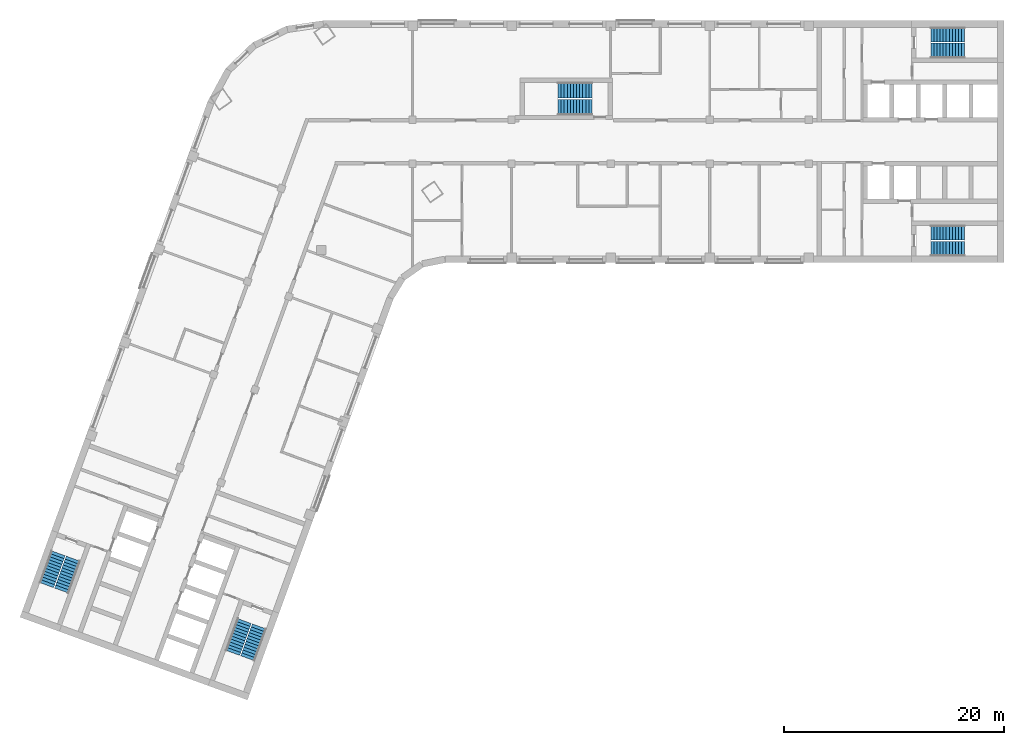
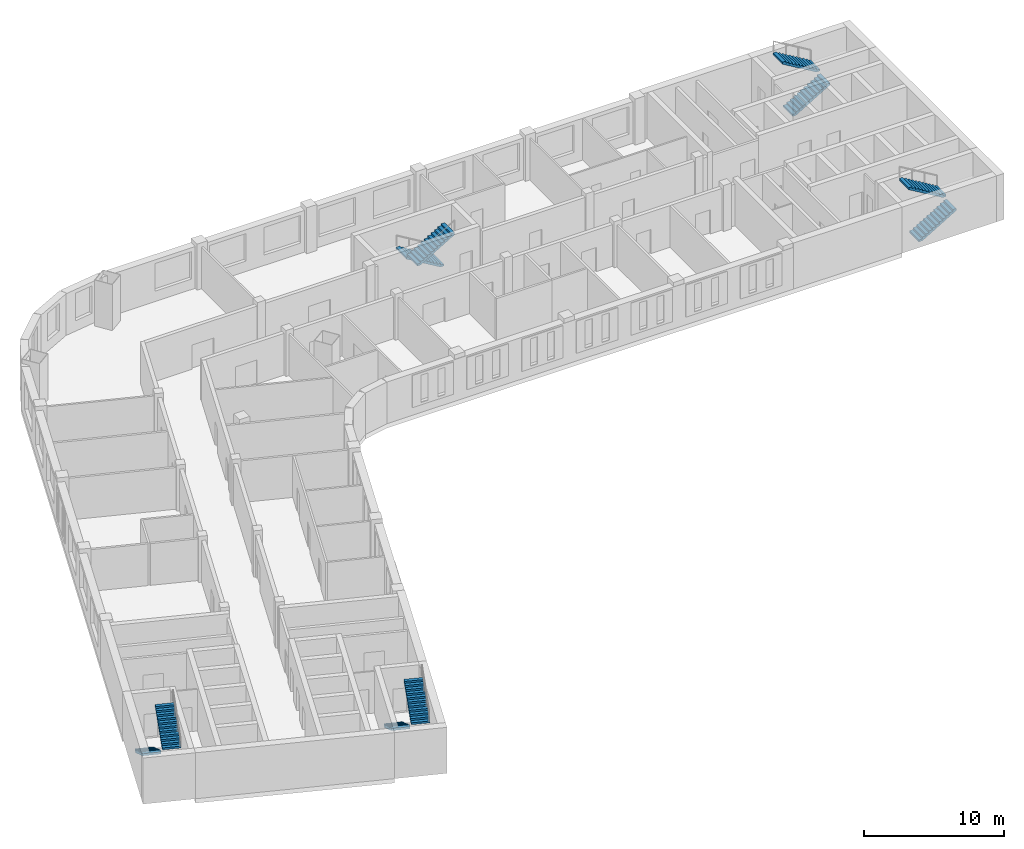
# One storey, part 7 of 8: 10 stair flights, 5 elements without a shape of their own.
"""IFC4 building model written with IfcOpenShell, lengths in metres."""

from ifc_helpers import new_model, si_unit, direction, frame, origin, place, context, subcontext, project, spatial, polyline, outline, extrude, material, type_object, element, aggregate, save


model = new_model("IFC4")

# Units and contexts
model_context = context("Model", 3, precision=1e-05, world=origin(), true_north=direction((0.0, 1.0)))
body_context = subcontext(model_context, "Body", "Model", "MODEL_VIEW")
ifc_project = project(units=[si_unit("LENGTHUNIT", "METRE"), si_unit("AREAUNIT", "SQUARE_METRE"), si_unit("VOLUMEUNIT", "CUBIC_METRE"), si_unit("PLANEANGLEUNIT", "RADIAN"), si_unit("MASSUNIT", "GRAM", prefix="KILO")], contexts=[model_context])

# Site, building, storey
site_placement = place(None, origin())
site = spatial("IfcSite", under=ifc_project, at=site_placement, CompositionType="ELEMENT")
building_placement = place(site_placement, origin())
building = spatial("IfcBuilding", under=site, at=building_placement, Name="Skarvind Civic Tower", CompositionType="ELEMENT")
storey_placement = place(building_placement, frame((0.0, 0.0, 125.0)))
storey = spatial("IfcBuildingStorey", under=building, at=storey_placement, Name="L29", CompositionType="ELEMENT", Elevation=125.0)

# Stair, stair flights
ifc_material = material(Name="Concrete C40/50", Category="concrete")
stair_type_1 = type_object("IfcStairType", Name="Exit stair 1450, half-turn, concrete", PredefinedType="HALF_TURN_STAIR", material=ifc_material)
stair_1_placement = place(storey_placement, origin())
stair_1 = element("IfcStair", 1, at=stair_1_placement, inside=storey, type_object=stair_type_1, Name="Exit stair CM", PredefinedType="HALF_TURN_STAIR")
stair_flight_type_1 = type_object("IfcStairFlightType", Name="Stair flight 1450, concrete", PredefinedType="STRAIGHT", material=ifc_material)
stair_flight_1_placement = place(storey_placement, frame((70.550048828125, 132.675048828125, 0.0), z_axis=(0.0, 0.0, 1.0), x_axis=(-1.0, 0.0, 0.0)))
stair_flight_1 = element("IfcStairFlight", 2, at=stair_flight_1_placement, type_object=stair_flight_type_1, Name="ST-CM flight 1", NumberOfRisers=12, NumberOfTreads=11, PredefinedType="STRAIGHT", RiserHeight=0.166666667, TreadLength=0.28, context=body_context, shape_type="SweptSolid", body=[
    extrude(outline(polyline([(0.0, 0.0), (0.0, 0.166748046875), (0.280029296875, 0.166748046875), (0.280029296875, 0.333251953125), (0.56005859375, 0.333251953125), (0.56005859375, 0.5), (0.840087890625, 0.5), (0.840087890625, 0.666748046875), (1.1201171875, 0.666748046875), (1.1201171875, 0.833251953125), (1.39990234375, 0.833251953125), (1.39990234375, 1.0), (1.679931640625, 1.0), (1.679931640625, 1.166748046875), (1.9599609375, 1.166748046875), (1.9599609375, 1.333251953125), (2.239990234375, 1.333251953125), (2.239990234375, 1.5), (2.52001953125, 1.5), (2.52001953125, 1.666748046875), (2.800048828125, 1.666748046875), (2.800048828125, 1.833251953125), (3.080078125, 1.833251953125), (3.080078125, 2.0), (3.080078125, 1.658935546875), (0.29296875, 0.0), (0.0, 0.0)])), frame((0.0, 0.72509765625, 0.0), z_axis=(0.0, -1.0, 0.0), x_axis=(1.0, 0.0, 0.0)), (0.0, 0.0, 1.0), 1.449951171875),
])
stair_flight_2_placement = place(storey_placement, frame((67.469970703125, 131.125, 2.0), z_axis=(0.0, 0.0, 1.0), x_axis=(1.0, 0.0, 0.0)))
stair_flight_2 = element("IfcStairFlight", 3, at=stair_flight_2_placement, type_object=stair_flight_type_1, Name="ST-CM flight 2", NumberOfRisers=12, NumberOfTreads=11, PredefinedType="STRAIGHT", RiserHeight=0.166666667, TreadLength=0.28, context=body_context, shape_type="SweptSolid", body=[
    extrude(outline(polyline([(0.0, 0.0), (0.0, 0.166748046875), (0.280029296875, 0.166748046875), (0.280029296875, 0.333251953125), (0.56005859375, 0.333251953125), (0.56005859375, 0.5), (0.840087890625, 0.5), (0.840087890625, 0.666748046875), (1.1201171875, 0.666748046875), (1.1201171875, 0.833251953125), (1.39990234375, 0.833251953125), (1.39990234375, 1.0), (1.679931640625, 1.0), (1.679931640625, 1.166748046875), (1.9599609375, 1.166748046875), (1.9599609375, 1.333251953125), (2.239990234375, 1.333251953125), (2.239990234375, 1.5), (2.52001953125, 1.5), (2.52001953125, 1.666748046875), (2.800048828125, 1.666748046875), (2.800048828125, 1.833251953125), (3.080078125, 1.833251953125), (3.080078125, 2.0), (3.080078125, 1.658935546875), (0.29296875, 0.0), (0.0, 0.0)])), frame((0.0, 0.72509765625, 0.0), z_axis=(0.0, -1.0, 0.0), x_axis=(1.0, 0.0, 0.0)), (0.0, 0.0, 1.0), 1.449951171875),
])
aggregate(stair_1, [stair_flight_1, stair_flight_2])

stair_type_2 = type_object("IfcStairType", Name="Exit stair, half-turn, concrete", PredefinedType="HALF_TURN_STAIR", material=ifc_material)
stair_2_placement = place(storey_placement, origin())
stair_2 = element("IfcStair", 4, at=stair_2_placement, inside=storey, type_object=stair_type_2, Name="Exit stair C1S", PredefinedType="HALF_TURN_STAIR")
stair_flight_type_2 = type_object("IfcStairFlightType", Name="Stair flight, concrete", PredefinedType="STRAIGHT", material=ifc_material)
stair_flight_3_placement = place(storey_placement, frame((101.35009765625, 136.27490234375, 0.0), z_axis=(0.0, 0.0, 1.0), x_axis=(1.0, 0.0, 0.0)))
stair_flight_3 = element("IfcStairFlight", 5, at=stair_flight_3_placement, type_object=stair_flight_type_2, Name="ST-C1S flight 1", NumberOfRisers=12, NumberOfTreads=11, PredefinedType="STRAIGHT", RiserHeight=0.166666667, TreadLength=0.28, context=body_context, shape_type="SweptSolid", body=[
    extrude(outline(polyline([(0.0, 0.0), (0.0, 0.166748046875), (0.280029296875, 0.166748046875), (0.280029296875, 0.333251953125), (0.56005859375, 0.333251953125), (0.56005859375, 0.5), (0.840087890625, 0.5), (0.840087890625, 0.666748046875), (1.1201171875, 0.666748046875), (1.1201171875, 0.833251953125), (1.39990234375, 0.833251953125), (1.39990234375, 1.0), (1.679931640625, 1.0), (1.679931640625, 1.166748046875), (1.9599609375, 1.166748046875), (1.9599609375, 1.333251953125), (2.239990234375, 1.333251953125), (2.239990234375, 1.5), (2.52001953125, 1.5), (2.52001953125, 1.666748046875), (2.800048828125, 1.666748046875), (2.800048828125, 1.833251953125), (3.080078125, 1.833251953125), (3.080078125, 2.0), (3.080078125, 1.658935546875), (0.29296875, 0.0), (0.0, 0.0)])), frame((0.0, 0.675048828125, 0.0), z_axis=(0.0, -1.0, 0.0), x_axis=(1.0, 0.0, 0.0)), (0.0, 0.0, 1.0), 1.35009765625),
])
stair_flight_4_placement = place(storey_placement, frame((104.429931640625, 137.72509765625, 2.0), z_axis=(0.0, 0.0, 1.0), x_axis=(-1.0, 0.0, 0.0)))
stair_flight_4 = element("IfcStairFlight", 6, at=stair_flight_4_placement, type_object=stair_flight_type_2, Name="ST-C1S flight 2", NumberOfRisers=12, NumberOfTreads=11, PredefinedType="STRAIGHT", RiserHeight=0.166666667, TreadLength=0.28, context=body_context, shape_type="SweptSolid", body=[
    extrude(outline(polyline([(0.0, 0.0), (0.0, 0.166748046875), (0.280029296875, 0.166748046875), (0.280029296875, 0.333251953125), (0.56005859375, 0.333251953125), (0.56005859375, 0.5), (0.840087890625, 0.5), (0.840087890625, 0.666748046875), (1.1201171875, 0.666748046875), (1.1201171875, 0.833251953125), (1.39990234375, 0.833251953125), (1.39990234375, 1.0), (1.679931640625, 1.0), (1.679931640625, 1.166748046875), (1.9599609375, 1.166748046875), (1.9599609375, 1.333251953125), (2.239990234375, 1.333251953125), (2.239990234375, 1.5), (2.52001953125, 1.5), (2.52001953125, 1.666748046875), (2.800048828125, 1.666748046875), (2.800048828125, 1.833251953125), (3.080078125, 1.833251953125), (3.080078125, 2.0), (3.080078125, 1.658935546875), (0.29296875, 0.0), (0.0, 0.0)])), frame((0.0, 0.675048828125, 0.0), z_axis=(0.0, -1.0, 0.0), x_axis=(1.0, 0.0, 0.0)), (0.0, 0.0, 1.0), 1.35009765625),
])
aggregate(stair_2, [stair_flight_3, stair_flight_4])

stair_3_placement = place(storey_placement, origin())
stair_3 = element("IfcStair", 7, at=stair_3_placement, inside=storey, type_object=stair_type_2, Name="Exit stair C1N", PredefinedType="HALF_TURN_STAIR")
stair_flight_5_placement = place(storey_placement, frame((101.35009765625, 118.27490234375, 0.0), z_axis=(0.0, 0.0, 1.0), x_axis=(1.0, 0.0, 0.0)))
stair_flight_5 = element("IfcStairFlight", 8, at=stair_flight_5_placement, type_object=stair_flight_type_2, Name="ST-C1N flight 1", NumberOfRisers=12, NumberOfTreads=11, PredefinedType="STRAIGHT", RiserHeight=0.166666667, TreadLength=0.28, context=body_context, shape_type="SweptSolid", body=[
    extrude(outline(polyline([(0.0, 0.0), (0.0, 0.166748046875), (0.280029296875, 0.166748046875), (0.280029296875, 0.333251953125), (0.56005859375, 0.333251953125), (0.56005859375, 0.5), (0.840087890625, 0.5), (0.840087890625, 0.666748046875), (1.1201171875, 0.666748046875), (1.1201171875, 0.833251953125), (1.39990234375, 0.833251953125), (1.39990234375, 1.0), (1.679931640625, 1.0), (1.679931640625, 1.166748046875), (1.9599609375, 1.166748046875), (1.9599609375, 1.333251953125), (2.239990234375, 1.333251953125), (2.239990234375, 1.5), (2.52001953125, 1.5), (2.52001953125, 1.666748046875), (2.800048828125, 1.666748046875), (2.800048828125, 1.833251953125), (3.080078125, 1.833251953125), (3.080078125, 2.0), (3.080078125, 1.658935546875), (0.29296875, 0.0), (0.0, 0.0)])), frame((0.0, 0.675048828125, 0.0), z_axis=(0.0, -1.0, 0.0), x_axis=(1.0, 0.0, 0.0)), (0.0, 0.0, 1.0), 1.35009765625),
])
stair_flight_6_placement = place(storey_placement, frame((104.429931640625, 119.72509765625, 2.0), z_axis=(0.0, 0.0, 1.0), x_axis=(-1.0, 0.0, 0.0)))
stair_flight_6 = element("IfcStairFlight", 9, at=stair_flight_6_placement, type_object=stair_flight_type_2, Name="ST-C1N flight 2", NumberOfRisers=12, NumberOfTreads=11, PredefinedType="STRAIGHT", RiserHeight=0.166666667, TreadLength=0.28, context=body_context, shape_type="SweptSolid", body=[
    extrude(outline(polyline([(0.0, 0.0), (0.0, 0.166748046875), (0.280029296875, 0.166748046875), (0.280029296875, 0.333251953125), (0.56005859375, 0.333251953125), (0.56005859375, 0.5), (0.840087890625, 0.5), (0.840087890625, 0.666748046875), (1.1201171875, 0.666748046875), (1.1201171875, 0.833251953125), (1.39990234375, 0.833251953125), (1.39990234375, 1.0), (1.679931640625, 1.0), (1.679931640625, 1.166748046875), (1.9599609375, 1.166748046875), (1.9599609375, 1.333251953125), (2.239990234375, 1.333251953125), (2.239990234375, 1.5), (2.52001953125, 1.5), (2.52001953125, 1.666748046875), (2.800048828125, 1.666748046875), (2.800048828125, 1.833251953125), (3.080078125, 1.833251953125), (3.080078125, 2.0), (3.080078125, 1.658935546875), (0.29296875, 0.0), (0.0, 0.0)])), frame((0.0, 0.675048828125, 0.0), z_axis=(0.0, -1.0, 0.0), x_axis=(1.0, 0.0, 0.0)), (0.0, 0.0, 1.0), 1.35009765625),
])
aggregate(stair_3, [stair_flight_5, stair_flight_6])

stair_4_placement = place(storey_placement, origin())
stair_4 = element("IfcStair", 10, at=stair_4_placement, inside=storey, type_object=stair_type_2, Name="Exit stair C2S", PredefinedType="HALF_TURN_STAIR")
stair_flight_7_placement = place(storey_placement, frame((38.949462890625, 84.43408203125, 0.0), z_axis=(0.0, 0.0, 1.0), x_axis=(-0.342020143326, -0.939692620786, 0.0)))
stair_flight_7 = element("IfcStairFlight", 11, at=stair_flight_7_placement, type_object=stair_flight_type_2, Name="ST-C2S flight 1", NumberOfRisers=12, NumberOfTreads=11, PredefinedType="STRAIGHT", RiserHeight=0.166666667, TreadLength=0.28, context=body_context, shape_type="SweptSolid", body=[
    extrude(outline(polyline([(0.0, 0.0), (0.0, 0.166748046875), (0.280029296875, 0.166748046875), (0.280029296875, 0.333251953125), (0.56005859375, 0.333251953125), (0.56005859375, 0.5), (0.840087890625, 0.5), (0.840087890625, 0.666748046875), (1.1201171875, 0.666748046875), (1.1201171875, 0.833251953125), (1.39990234375, 0.833251953125), (1.39990234375, 1.0), (1.679931640625, 1.0), (1.679931640625, 1.166748046875), (1.9599609375, 1.166748046875), (1.9599609375, 1.333251953125), (2.239990234375, 1.333251953125), (2.239990234375, 1.5), (2.52001953125, 1.5), (2.52001953125, 1.666748046875), (2.800048828125, 1.666748046875), (2.800048828125, 1.833251953125), (3.080078125, 1.833251953125), (3.080078125, 2.0), (3.080078125, 1.658935546875), (0.29296875, 0.0), (0.0, 0.0)])), frame((0.0, 0.675048828125, 0.0), z_axis=(0.0, -1.0, 0.0), x_axis=(1.0, 0.0, 0.0)), (0.0, 0.0, 1.0), 1.35009765625),
])
stair_flight_8_placement = place(storey_placement, frame((39.258544921875, 81.0439453125, 2.0), z_axis=(0.0, 0.0, 1.0), x_axis=(0.342020143326, 0.939692620786, 0.0)))
stair_flight_8 = element("IfcStairFlight", 12, at=stair_flight_8_placement, type_object=stair_flight_type_2, Name="ST-C2S flight 2", NumberOfRisers=12, NumberOfTreads=11, PredefinedType="STRAIGHT", RiserHeight=0.166666667, TreadLength=0.28, context=body_context, shape_type="SweptSolid", body=[
    extrude(outline(polyline([(0.0, 0.0), (0.0, 0.166748046875), (0.280029296875, 0.166748046875), (0.280029296875, 0.333251953125), (0.56005859375, 0.333251953125), (0.56005859375, 0.5), (0.840087890625, 0.5), (0.840087890625, 0.666748046875), (1.1201171875, 0.666748046875), (1.1201171875, 0.833251953125), (1.39990234375, 0.833251953125), (1.39990234375, 1.0), (1.679931640625, 1.0), (1.679931640625, 1.166748046875), (1.9599609375, 1.166748046875), (1.9599609375, 1.333251953125), (2.239990234375, 1.333251953125), (2.239990234375, 1.5), (2.52001953125, 1.5), (2.52001953125, 1.666748046875), (2.800048828125, 1.666748046875), (2.800048828125, 1.833251953125), (3.080078125, 1.833251953125), (3.080078125, 2.0), (3.080078125, 1.658935546875), (0.29296875, 0.0), (0.0, 0.0)])), frame((0.0, 0.675048828125, 0.0), z_axis=(0.0, -1.0, 0.0), x_axis=(1.0, 0.0, 0.0)), (0.0, 0.0, 1.0), 1.35009765625),
])
aggregate(stair_4, [stair_flight_7, stair_flight_8])

stair_5_placement = place(storey_placement, origin())
stair_5 = element("IfcStair", 13, at=stair_5_placement, inside=storey, type_object=stair_type_2, Name="Exit stair C2N", PredefinedType="HALF_TURN_STAIR")
stair_flight_9_placement = place(storey_placement, frame((22.034912109375, 90.590576171875, 0.0), z_axis=(0.0, 0.0, 1.0), x_axis=(-0.342020143326, -0.939692620786, 0.0)))
stair_flight_9 = element("IfcStairFlight", 14, at=stair_flight_9_placement, type_object=stair_flight_type_2, Name="ST-C2N flight 1", NumberOfRisers=12, NumberOfTreads=11, PredefinedType="STRAIGHT", RiserHeight=0.166666667, TreadLength=0.28, context=body_context, shape_type="SweptSolid", body=[
    extrude(outline(polyline([(0.0, 0.0), (0.0, 0.166748046875), (0.280029296875, 0.166748046875), (0.280029296875, 0.333251953125), (0.56005859375, 0.333251953125), (0.56005859375, 0.5), (0.840087890625, 0.5), (0.840087890625, 0.666748046875), (1.1201171875, 0.666748046875), (1.1201171875, 0.833251953125), (1.39990234375, 0.833251953125), (1.39990234375, 1.0), (1.679931640625, 1.0), (1.679931640625, 1.166748046875), (1.9599609375, 1.166748046875), (1.9599609375, 1.333251953125), (2.239990234375, 1.333251953125), (2.239990234375, 1.5), (2.52001953125, 1.5), (2.52001953125, 1.666748046875), (2.800048828125, 1.666748046875), (2.800048828125, 1.833251953125), (3.080078125, 1.833251953125), (3.080078125, 2.0), (3.080078125, 1.658935546875), (0.29296875, 0.0), (0.0, 0.0)])), frame((0.0, 0.675048828125, 0.0), z_axis=(0.0, -1.0, 0.0), x_axis=(1.0, 0.0, 0.0)), (0.0, 0.0, 1.0), 1.35009765625),
])
stair_flight_10_placement = place(storey_placement, frame((22.343994140625, 87.2001953125, 2.0), z_axis=(0.0, 0.0, 1.0), x_axis=(0.342020143326, 0.939692620786, 0.0)))
stair_flight_10 = element("IfcStairFlight", 15, at=stair_flight_10_placement, type_object=stair_flight_type_2, Name="ST-C2N flight 2", NumberOfRisers=12, NumberOfTreads=11, PredefinedType="STRAIGHT", RiserHeight=0.166666667, TreadLength=0.28, context=body_context, shape_type="SweptSolid", body=[
    extrude(outline(polyline([(0.0, 0.0), (0.0, 0.166748046875), (0.280029296875, 0.166748046875), (0.280029296875, 0.333251953125), (0.56005859375, 0.333251953125), (0.56005859375, 0.5), (0.840087890625, 0.5), (0.840087890625, 0.666748046875), (1.1201171875, 0.666748046875), (1.1201171875, 0.833251953125), (1.39990234375, 0.833251953125), (1.39990234375, 1.0), (1.679931640625, 1.0), (1.679931640625, 1.166748046875), (1.9599609375, 1.166748046875), (1.9599609375, 1.333251953125), (2.239990234375, 1.333251953125), (2.239990234375, 1.5), (2.52001953125, 1.5), (2.52001953125, 1.666748046875), (2.800048828125, 1.666748046875), (2.800048828125, 1.833251953125), (3.080078125, 1.833251953125), (3.080078125, 2.0), (3.080078125, 1.658935546875), (0.29296875, 0.0), (0.0, 0.0)])), frame((0.0, 0.675048828125, 0.0), z_axis=(0.0, -1.0, 0.0), x_axis=(1.0, 0.0, 0.0)), (0.0, 0.0, 1.0), 1.35009765625),
])
aggregate(stair_5, [stair_flight_9, stair_flight_10])

save(model, "model.ifc")
